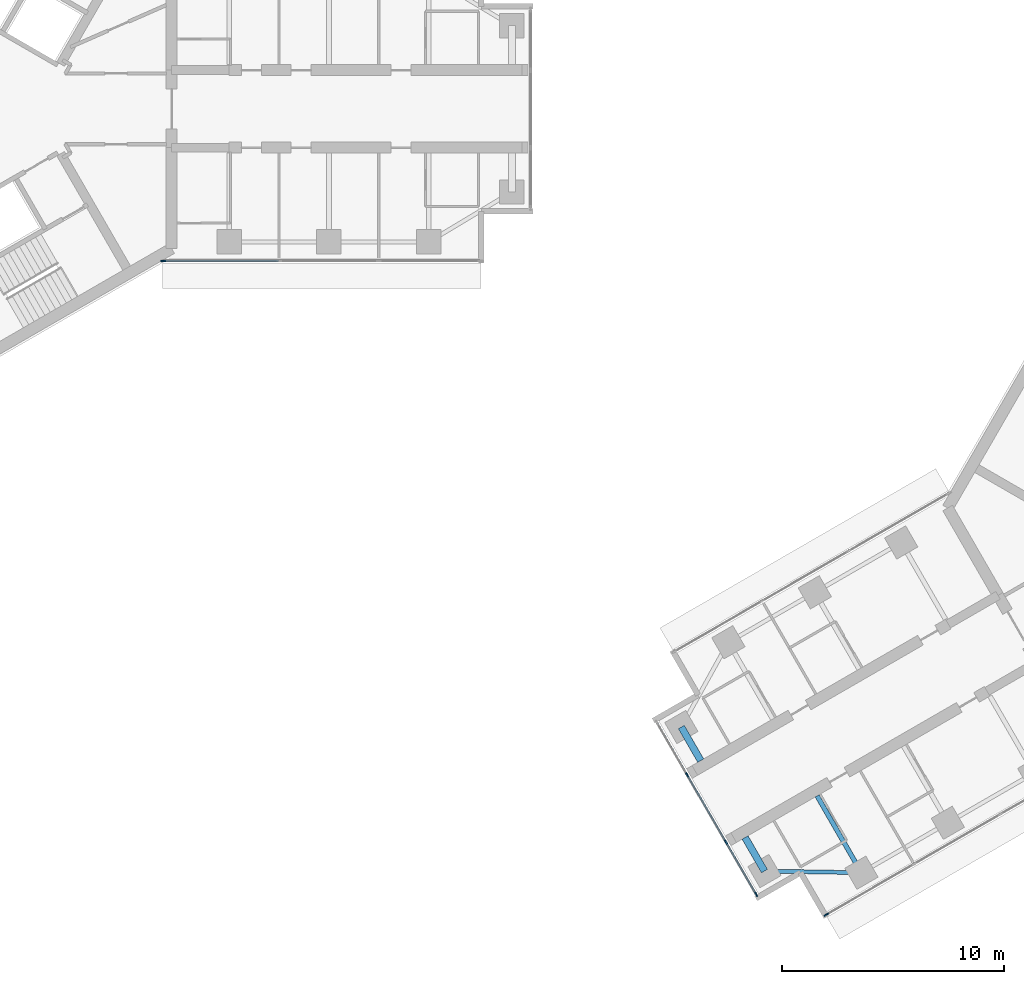
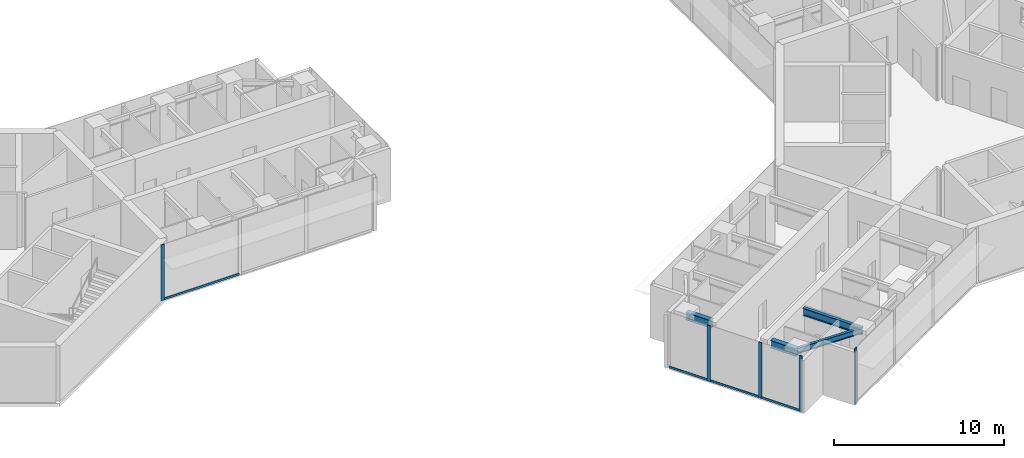
# One storey, part 2 of 18: 9 members, 4 beams, 3 elements without a shape of their own.
"""IFC4 building model written with IfcOpenShell, lengths in metres."""

from ifc_helpers import new_model, si_unit, direction, frame, origin, origin_2d, place, context, subcontext, project, spatial, rectangle, i_section, extrude, material, material_profile, profile_set, type_object, element, aggregate, save


model = new_model("IFC4")

# Units and contexts
model_context = context("Model", 3, precision=1e-05, world=origin(), true_north=direction((0.0, 1.0)))
body_context = subcontext(model_context, "Body", "Model", "MODEL_VIEW")
ifc_project = project(units=[si_unit("LENGTHUNIT", "METRE"), si_unit("AREAUNIT", "SQUARE_METRE"), si_unit("VOLUMEUNIT", "CUBIC_METRE"), si_unit("PLANEANGLEUNIT", "RADIAN"), si_unit("MASSUNIT", "GRAM", prefix="KILO")], contexts=[model_context])

# Site, building, storey
site_placement = place(None, origin())
site = spatial("IfcSite", under=ifc_project, at=site_placement, CompositionType="ELEMENT")
building_placement = place(site_placement, origin())
building = spatial("IfcBuilding", under=site, at=building_placement, Name="Upepo Twin Towers", CompositionType="ELEMENT")
storey_placement = place(building_placement, frame((0.0, 0.0, 222.5)))
storey = spatial("IfcBuildingStorey", under=building, at=storey_placement, Name="L54", CompositionType="ELEMENT", Elevation=222.5)

# Beams
ifc_material_1 = material(Name="Steel S355", Category="steel")
ifc_material_profile_1 = material_profile(ifc_material_1, i_section(OverallWidth=0.177978515625, OverallDepth=0.406494140625, WebThickness=0.0078125, FlangeThickness=0.0126953125, FilletRadius=0.01025390625, at=origin_2d()), Name="UB 406x178x60")
ifc_profile_set_1 = profile_set([ifc_material_profile_1], Name="Steel S355")
beam_type_1 = type_object("IfcBeamType", Name="Beam UB 406x178x60", PredefinedType="BEAM", material=ifc_profile_set_1)
beam_1_placement = place(storey_placement, frame((42.014404296875, -34.446044921875, 3.5966796875), z_axis=(-0.999858804832, 0.016803880528, 0.0), x_axis=(-0.016803880528, -0.999858804832, 0.0)))
element("IfcBeam", 1, at=beam_1_placement, inside=storey, type_object=beam_type_1, Name="T2 nose edge beam BL", PredefinedType="BEAM", context=body_context, shape_type="SweptSolid", body=[
    extrude(i_section(OverallWidth=0.177978515625, OverallDepth=0.406494140625, WebThickness=0.0078125, FlangeThickness=0.0126953125, FilletRadius=0.01025390625, at=origin_2d()), origin(), (0.0, 0.0, 1.0), 4.373291015625),
])
ifc_material_2 = material(Name="Steel S355", Category="steel")
ifc_material_profile_2 = material_profile(ifc_material_2, i_section(OverallWidth=0.209228515625, OverallDepth=0.533203125, WebThickness=0.010009765625, FlangeThickness=0.015625, FilletRadius=0.0126953125, at=origin_2d()), Name="UB 533x210x92")
ifc_profile_set_2 = profile_set([ifc_material_profile_2], Name="Steel S355")
beam_type_2 = type_object("IfcBeamType", Name="Beam UB 533x210x92", PredefinedType="BEAM", material=ifc_profile_set_2)
beam_2_placement = place(storey_placement, frame((42.014404296875, -34.446044921875, 3.533447265625), z_axis=(-0.49999894854, 0.866026010844, 0.0), x_axis=(-0.866026010844, -0.49999894854, 0.0)))
element("IfcBeam", 2, at=beam_2_placement, inside=storey, type_object=beam_type_2, Name="T2 girder BL at 22.5", PredefinedType="BEAM", context=body_context, shape_type="SweptSolid", body=[
    extrude(i_section(OverallWidth=0.209228515625, OverallDepth=0.533203125, WebThickness=0.010009765625, FlangeThickness=0.015625, FilletRadius=0.0126953125, at=origin_2d()), origin(), (0.0, 0.0, 1.0), 4.0),
])
ifc_material_3 = material(Name="Steel S355", Category="steel")
ifc_material_profile_3 = material_profile(ifc_material_3, i_section(OverallWidth=0.31201171875, OverallDepth=0.54345703125, WebThickness=0.0126953125, FlangeThickness=0.020263671875, FilletRadius=0.0126953125, at=origin_2d()), Name="UB 533x312x150")
ifc_profile_set_3 = profile_set([ifc_material_profile_3], Name="Steel S355")
beam_type_3 = type_object("IfcBeamType", Name="Beam UB 533x312x150", PredefinedType="BEAM", material=ifc_profile_set_3)
for number, where, z_axis, x_axis, name in (
    (3, (37.641845703125, -34.37255859375, 3.5283203125), (-0.499980071345, 0.866036909293, 0.0), (-0.866036909293, -0.499980071345, 0.0), "T2 nose beam BL"),
    (4, (33.891845703125, -27.87744140625, 3.5283203125), (0.499980071345, -0.866036909293, 0.0), (0.866036909293, 0.499980071345, 0.0), "T2 nose beam BR"),
):
    element("IfcBeam", number, at=place(storey_placement, frame(where, z_axis=z_axis, x_axis=x_axis)), inside=storey, type_object=beam_type_3, Name=name, PredefinedType="BEAM", context=body_context, shape_type="SweptSolid", body=[
        extrude(i_section(OverallWidth=0.31201171875, OverallDepth=0.54345703125, WebThickness=0.0126953125, FlangeThickness=0.020263671875, FilletRadius=0.0126953125, at=origin_2d()), origin(), (0.0, 0.0, 1.0), 1.75),
    ])

# Curtain wall, member
ifc_material_4 = material(Name="Aluminium and fritted glass", Category="aluminium")
curtain_wall_type = type_object("IfcCurtainWallType", Name="Tower curtain wall TW3, fritted glass", PredefinedType="NOTDEFINED", material=ifc_material_4)
curtain_wall_1_placement = place(storey_placement, origin())
curtain_wall_1 = element("IfcCurtainWall", 5, at=curtain_wall_1_placement, inside=storey, type_object=curtain_wall_type, Name="T1 L54 wing A flank R curtain wall", PredefinedType="NOTDEFINED")
ifc_material_5 = material(Name="Aluminium mullion", Category="aluminium")
ifc_material_profile_4 = material_profile(ifc_material_5, rectangle(XDim=0.06494140625, YDim=0.22509765625, at=origin_2d()), Name="MULLION 65x225")
ifc_profile_set_4 = profile_set([ifc_material_profile_4], Name="Aluminium mullion")
member_type_1 = type_object("IfcMemberType", Name="Mullion 65x225 TW3", PredefinedType="MULLION", material=ifc_profile_set_4)
member_1_placement = place(storey_placement, frame((10.51953125, -6.85009765625, 0.0), z_axis=(0.0, 0.0, 1.0), x_axis=(0.0, -1.0, 0.0)))
member_1 = element("IfcMember", 6, at=member_1_placement, type_object=member_type_1, Name="T1 L54 wing A flank R curtain wall mullion 4", PredefinedType="MULLION", context=body_context, shape_type="SweptSolid", body=[
    extrude(rectangle(XDim=0.06494140625, YDim=0.22509765625, at=origin_2d()), origin(), (0.0, 0.0, 1.0), 4.0),
])

curtain_wall_2_placement = place(storey_placement, origin())
curtain_wall_2 = element("IfcCurtainWall", 7, at=curtain_wall_2_placement, inside=storey, type_object=curtain_wall_type, Name="T2 L54 wing B flank L curtain wall", PredefinedType="NOTDEFINED")
member_2_placement = place(storey_placement, frame((40.432373046875, -36.341064453125, 0.0), z_axis=(0.0, 0.0, 1.0), x_axis=(0.500000026527, -0.866025388469, 0.0)))
member_2 = element("IfcMember", 8, at=member_2_placement, type_object=member_type_1, Name="T2 L54 wing B flank L curtain wall mullion 4", PredefinedType="MULLION", context=body_context, shape_type="SweptSolid", body=[
    extrude(rectangle(XDim=0.06494140625, YDim=0.22509765625, at=origin_2d()), origin(), (0.0, 0.0, 1.0), 4.0),
])
aggregate(curtain_wall_2, [member_2])

# Curtain wall, members
curtain_wall_3_placement = place(storey_placement, origin())
curtain_wall_3 = element("IfcCurtainWall", 9, at=curtain_wall_3_placement, inside=storey, type_object=curtain_wall_type, Name="T2 L54 wing B nose curtain wall", PredefinedType="NOTDEFINED")
member_3_placement = place(storey_placement, frame((34.15576171875, -30.034423828125, 0.0), z_axis=(0.0, 0.0, 1.0), x_axis=(0.866025386174, 0.500000030502, 0.0)))
member_3 = element("IfcMember", 10, at=member_3_placement, type_object=member_type_1, Name="T2 L54 wing B nose curtain wall mullion 2", PredefinedType="MULLION", context=body_context, shape_type="SweptSolid", body=[
    extrude(rectangle(XDim=0.06494140625, YDim=0.22509765625, at=origin_2d()), origin(), (0.0, 0.0, 1.0), 4.0),
])
member_4_placement = place(storey_placement, frame((35.90576171875, -33.0654296875, 0.0), z_axis=(0.0, 0.0, 1.0), x_axis=(0.866025386174, 0.500000030502, 0.0)))
member_4 = element("IfcMember", 11, at=member_4_placement, type_object=member_type_1, Name="T2 L54 wing B nose curtain wall mullion 3", PredefinedType="MULLION", context=body_context, shape_type="SweptSolid", body=[
    extrude(rectangle(XDim=0.06494140625, YDim=0.22509765625, at=origin_2d()), origin(), (0.0, 0.0, 1.0), 4.0),
])
member_5_placement = place(storey_placement, frame((37.264404296875, -35.4189453125, 0.0), z_axis=(0.0, 0.0, 1.0), x_axis=(0.866025386174, 0.500000030502, 0.0)))
member_5 = element("IfcMember", 12, at=member_5_placement, type_object=member_type_1, Name="T2 L54 wing B nose curtain wall mullion 4", PredefinedType="MULLION", context=body_context, shape_type="SweptSolid", body=[
    extrude(rectangle(XDim=0.06494140625, YDim=0.22509765625, at=origin_2d()), origin(), (0.0, 0.0, 1.0), 4.0),
])

# Member
ifc_material_6 = material(Name="Aluminium transom", Category="aluminium")
ifc_material_profile_5 = material_profile(ifc_material_6, rectangle(XDim=0.06494140625, YDim=0.14990234375, at=origin_2d()), Name="TRANSOM 65x150")
ifc_profile_set_5 = profile_set([ifc_material_profile_5], Name="Aluminium transom")
member_type_2 = type_object("IfcMemberType", Name="Transom 65x150 TW3", PredefinedType="USERDEFINED", material=ifc_profile_set_5)
member_6_placement = place(storey_placement, frame((15.717529296875, -6.85009765625, 0.074951171875), z_axis=(-1.0, 0.0, 0.0), x_axis=(0.0, -1.0, 0.0)))
member_6 = element("IfcMember", 13, at=member_6_placement, type_object=member_type_2, Name="T1 L54 wing A flank R curtain wall transom 3", ObjectType="TRANSOM", PredefinedType="USERDEFINED", context=body_context, shape_type="SweptSolid", body=[
    extrude(rectangle(XDim=0.06494140625, YDim=0.14990234375, at=origin_2d()), origin(), (0.0, 0.0, 1.0), 5.16552734375),
])

aggregate(curtain_wall_1, [member_1, member_6])

member_7_placement = place(storey_placement, frame((32.813232421875, -27.709228515625, 0.074951171875), z_axis=(0.499980071345, -0.866036909293, 0.0), x_axis=(0.866036909293, 0.499980071345, 0.0)))
member_7 = element("IfcMember", 14, at=member_7_placement, type_object=member_type_2, Name="T2 L54 wing B nose curtain wall transom 1", ObjectType="TRANSOM", PredefinedType="USERDEFINED", context=body_context, shape_type="SweptSolid", body=[
    extrude(rectangle(XDim=0.06494140625, YDim=0.14990234375, at=origin_2d()), origin(), (0.0, 0.0, 1.0), 2.65234375),
])

member_8_placement = place(storey_placement, frame((34.171875, -30.0625, 0.074951171875), z_axis=(0.499999305434, -0.866025804792, 0.0), x_axis=(0.866025804792, 0.499999305434, 0.0)))
member_8 = element("IfcMember", 15, at=member_8_placement, type_object=member_type_2, Name="T2 L54 wing B nose curtain wall transom 2", ObjectType="TRANSOM", PredefinedType="USERDEFINED", context=body_context, shape_type="SweptSolid", body=[
    extrude(rectangle(XDim=0.06494140625, YDim=0.14990234375, at=origin_2d()), origin(), (0.0, 0.0, 1.0), 3.43505859375),
])

member_9_placement = place(storey_placement, frame((35.921875, -33.09375, 0.074951171875), z_axis=(0.500049101008, -0.865997053448, 0.0), x_axis=(0.865997053448, 0.500049101008, 0.0)))
member_9 = element("IfcMember", 16, at=member_9_placement, type_object=member_type_2, Name="T2 L54 wing B nose curtain wall transom 3", ObjectType="TRANSOM", PredefinedType="USERDEFINED", context=body_context, shape_type="SweptSolid", body=[
    extrude(rectangle(XDim=0.06494140625, YDim=0.14990234375, at=origin_2d()), origin(), (0.0, 0.0, 1.0), 2.652587890625),
])

aggregate(curtain_wall_3, [member_3, member_4, member_5, member_7, member_8, member_9])

save(model, "model.ifc")
